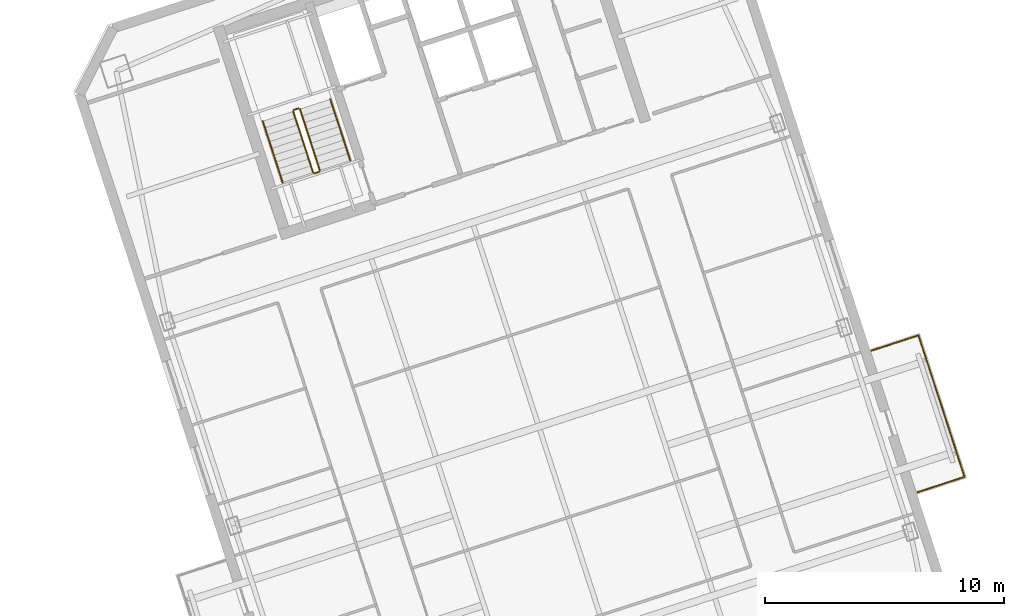
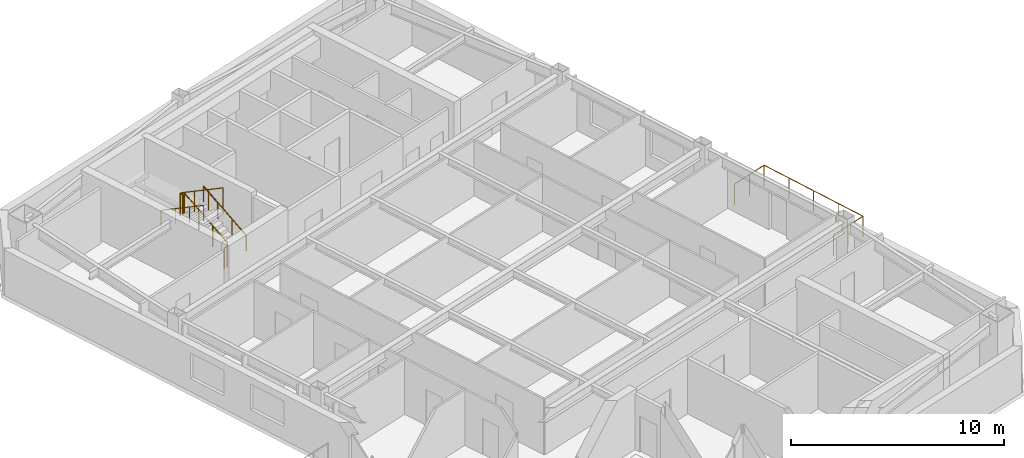
# One storey, part 15 of 15: 7 railings.
"""IFC4 building model written with IfcOpenShell, lengths in metres."""

from ifc_helpers import new_model, si_unit, direction, frame, origin, origin_2d, place, context, subcontext, project, spatial, circle, extrude, material, type_object, element, save


model = new_model("IFC4")

# Units and contexts
model_context = context("Model", 3, precision=1e-05, world=origin(), true_north=direction((0.0, 1.0)))
body_context = subcontext(model_context, "Body", "Model", "MODEL_VIEW")
ifc_project = project(units=[si_unit("LENGTHUNIT", "METRE"), si_unit("AREAUNIT", "SQUARE_METRE"), si_unit("VOLUMEUNIT", "CUBIC_METRE"), si_unit("PLANEANGLEUNIT", "RADIAN"), si_unit("MASSUNIT", "GRAM", prefix="KILO")], contexts=[model_context])

# Site, building, storey
site_placement = place(None, origin())
site = spatial("IfcSite", under=ifc_project, at=site_placement, CompositionType="ELEMENT")
building_placement = place(site_placement, origin())
building = spatial("IfcBuilding", under=site, at=building_placement, Name="Qiaolan Cultural Towers", CompositionType="ELEMENT")
storey_placement = place(building_placement, frame((0.0, 0.0, 209.300048828125)))
storey = spatial("IfcBuildingStorey", under=building, at=storey_placement, Name="L56", CompositionType="ELEMENT", Elevation=209.300048828125)

# Railings
ifc_material_1 = material(Name="Laminated SentryGlas & Stainless Steel S31608 Balustrade", Category="steel")
railing_type_1 = type_object("IfcRailingType", Name="GRD-TERR-1200", PredefinedType="BALUSTRADE", material=ifc_material_1)
railing_1_placement = place(storey_placement, frame((105.87646484375, 31.25146484375, 0.0)))
element("IfcRailing", 1, at=railing_1_placement, inside=storey, type_object=railing_type_1, Name="L56 T2 Tree Balcony Guardrail E", PredefinedType="BALUSTRADE", context=body_context, shape_type="SweptSolid", body=[
    extrude(circle(Radius=0.02392578125, at=origin_2d()), frame((0.0, 0.0, 1.17578125), z_axis=(0.951050536716, 0.309035397023, 0.0), x_axis=(-0.309035397023, 0.951050536716, 0.0)), (0.0, 0.0, 1.0), 2.06982421875),
    extrude(circle(Radius=0.02392578125, at=origin_2d()), frame((1.968505859375, 0.6396484375, 1.17578125), z_axis=(-0.30901175762, 0.951058217804, 0.0), x_axis=(-0.951058217804, -0.30901175762, 0.0)), (0.0, 0.0, 1.0), 6.239990234375),
    extrude(circle(Radius=0.02392578125, at=origin_2d()), frame((0.040283203125, 6.57421875, 1.17578125), z_axis=(-0.951061799618, -0.309000733507, 0.0), x_axis=(0.309000733507, -0.951061799618, 0.0)), (0.0, 0.0, 1.0), 2.070068359375),
    extrude(circle(Radius=0.02099609375, at=origin_2d()), origin(), (0.0, 0.0, 1.0), 1.15185546875),
    extrude(circle(Radius=0.02099609375, at=origin_2d()), frame((0.984375, 0.31982421875, 0.0)), (0.0, 0.0, 1.0), 1.15185546875),
    extrude(circle(Radius=0.02099609375, at=origin_2d()), frame((1.968505859375, 0.6396484375, 0.0)), (0.0, 0.0, 1.0), 1.15185546875),
    extrude(circle(Radius=0.02099609375, at=origin_2d()), frame((1.486328125, 2.123291015625, 0.0)), (0.0, 0.0, 1.0), 1.15185546875),
    extrude(circle(Radius=0.02099609375, at=origin_2d()), frame((1.00439453125, 3.60693359375, 0.0)), (0.0, 0.0, 1.0), 1.15185546875),
    extrude(circle(Radius=0.02099609375, at=origin_2d()), frame((0.5224609375, 5.090576171875, 0.0)), (0.0, 0.0, 1.0), 1.15185546875),
    extrude(circle(Radius=0.02099609375, at=origin_2d()), frame((0.040283203125, 6.57421875, 0.0)), (0.0, 0.0, 1.0), 1.15185546875),
    extrude(circle(Radius=0.02099609375, at=origin_2d()), frame((-0.944091796875, 6.25439453125, 0.0)), (0.0, 0.0, 1.0), 1.15185546875),
    extrude(circle(Radius=0.02099609375, at=origin_2d()), frame((-1.928466796875, 5.9345703125, 0.0)), (0.0, 0.0, 1.0), 1.15185546875),
])
ifc_material_2 = material(Name="Galvanized Painted Steel Stair Guardrail", Category="steel")
railing_type_2 = type_object("IfcRailingType", Name="RL-STAIR-GRD", PredefinedType="GUARDRAIL", material=ifc_material_2)
railing_2_placement = place(storey_placement, frame((80.822021484375, 44.739501953125, 0.17236328125)))
element("IfcRailing", 2, at=railing_2_placement, inside=storey, type_object=railing_type_2, Name="L56 ST-E2 stair guard 1", PredefinedType="GUARDRAIL", context=body_context, shape_type="SweptSolid", body=[
    extrude(circle(Radius=0.02392578125, at=origin_2d()), frame((0.0, 0.0, 1.17578125), z_axis=(-0.26785290645, 0.824488402118, 0.498471358535), x_axis=(-0.951069945308, -0.308975661068, 0.0)), (0.0, 0.0, 1.0), 3.114501953125),
    extrude(circle(Radius=0.02099609375, at=origin_2d()), origin(), (0.0, 0.0, 1.0), 1.15185546875),
    extrude(circle(Radius=0.02099609375, at=origin_2d()), frame((-0.278076171875, 0.85595703125, 0.517578125)), (0.0, 0.0, 1.0), 1.15185546875),
    extrude(circle(Radius=0.02099609375, at=origin_2d()), frame((-0.55615234375, 1.7119140625, 1.034912109375)), (0.0, 0.0, 1.0), 1.15185546875),
    extrude(circle(Radius=0.02099609375, at=origin_2d()), frame((-0.834228515625, 2.56787109375, 1.552490234375)), (0.0, 0.0, 1.0), 1.15185546875),
])
railing_3_placement = place(storey_placement, frame((79.9248046875, 47.33935546875, 1.724853515625)))
element("IfcRailing", 3, at=railing_3_placement, inside=storey, type_object=railing_type_2, Name="L56 ST-E2 stair guard 2", PredefinedType="GUARDRAIL", context=body_context, shape_type="SweptSolid", body=[
    extrude(circle(Radius=0.02392578125, at=origin_2d()), frame((0.0, 0.0, 1.17578125), z_axis=(-0.951096855055, -0.308892816854, 0.0), x_axis=(0.308892816854, -0.951096855055, 0.0)), (0.0, 0.0, 1.0), 0.199951171875),
    extrude(circle(Radius=0.02099609375, at=origin_2d()), origin(), (0.0, 0.0, 1.0), 1.15185546875),
    extrude(circle(Radius=0.02099609375, at=origin_2d()), frame((-0.190185546875, -0.061767578125, 0.0)), (0.0, 0.0, 1.0), 1.15185546875),
])
railing_4_placement = place(storey_placement, frame((79.702392578125, 47.214599609375, 1.8974609375)))
element("IfcRailing", 4, at=railing_4_placement, inside=storey, type_object=railing_type_2, Name="L56 ST-E2 stair guard 3", PredefinedType="GUARDRAIL", context=body_context, shape_type="SweptSolid", body=[
    extrude(circle(Radius=0.02392578125, at=origin_2d()), frame((0.0, 0.0, 1.17578125), z_axis=(0.267925668498, -0.824471088726, 0.498460891159), x_axis=(0.951043371037, 0.309057448393, 0.0)), (0.0, 0.0, 1.0), 3.114501953125),
    extrude(circle(Radius=0.02099609375, at=origin_2d()), origin(), (0.0, 0.0, 1.0), 1.15185546875),
    extrude(circle(Radius=0.02099609375, at=origin_2d()), frame((0.278076171875, -0.85595703125, 0.517578125)), (0.0, 0.0, 1.0), 1.15185546875),
    extrude(circle(Radius=0.02099609375, at=origin_2d()), frame((0.556396484375, -1.7119140625, 1.034912109375)), (0.0, 0.0, 1.0), 1.15185546875),
    extrude(circle(Radius=0.02099609375, at=origin_2d()), frame((0.83447265625, -2.56787109375, 1.552490234375)), (0.0, 0.0, 1.0), 1.15185546875),
])
railing_5_placement = place(storey_placement, frame((80.7900390625, 44.676513671875, 0.0)))
element("IfcRailing", 5, at=railing_5_placement, inside=storey, type_object=railing_type_2, Name="L56 ST-E2 stair guard 4", PredefinedType="GUARDRAIL", context=body_context, shape_type="SweptSolid", body=[
    extrude(circle(Radius=0.02392578125, at=origin_2d()), frame((0.0, 0.0, 1.17578125), z_axis=(-0.951096855055, -0.308892816854, 0.0), x_axis=(0.308892816854, -0.951096855055, 0.0)), (0.0, 0.0, 1.0), 0.199951171875),
    extrude(circle(Radius=0.02099609375, at=origin_2d()), origin(), (0.0, 0.0, 1.0), 1.15185546875),
    extrude(circle(Radius=0.02099609375, at=origin_2d()), frame((-0.190185546875, -0.061767578125, 0.0)), (0.0, 0.0, 1.0), 1.15185546875),
])
ifc_material_3 = material(Name="Stainless Steel S30408 Tubular Handrail", Category="steel")
railing_type_3 = type_object("IfcRailingType", Name="RL-STAIR-HR", PredefinedType="HANDRAIL", material=ifc_material_3)
railing_6_placement = place(storey_placement, frame((82.096435546875, 45.153564453125, 0.17236328125)))
element("IfcRailing", 6, at=railing_6_placement, inside=storey, type_object=railing_type_3, Name="L56 ST-E2 stair handrail 1", PredefinedType="HANDRAIL", context=body_context, shape_type="SweptSolid", body=[
    extrude(circle(Radius=0.02392578125, at=origin_2d()), frame((0.0, 0.0, 0.8759765625), z_axis=(-0.26785290645, 0.824488402118, 0.498471358535), x_axis=(-0.951069945308, -0.308975661068, 0.0)), (0.0, 0.0, 1.0), 3.114501953125),
    extrude(circle(Radius=0.02099609375, at=origin_2d()), origin(), (0.0, 0.0, 1.0), 0.851806640625),
    extrude(circle(Radius=0.02099609375, at=origin_2d()), frame((-0.278076171875, 0.85595703125, 0.517578125)), (0.0, 0.0, 1.0), 0.851806640625),
    extrude(circle(Radius=0.02099609375, at=origin_2d()), frame((-0.55615234375, 1.7119140625, 1.034912109375)), (0.0, 0.0, 1.0), 0.851806640625),
    extrude(circle(Radius=0.02099609375, at=origin_2d()), frame((-0.834228515625, 2.56787109375, 1.552490234375)), (0.0, 0.0, 1.0), 0.851806640625),
])
railing_7_placement = place(storey_placement, frame((78.427978515625, 46.800537109375, 1.8974609375)))
element("IfcRailing", 7, at=railing_7_placement, inside=storey, type_object=railing_type_3, Name="L56 ST-E2 stair handrail 2", PredefinedType="HANDRAIL", context=body_context, shape_type="SweptSolid", body=[
    extrude(circle(Radius=0.02392578125, at=origin_2d()), frame((0.0, 0.0, 0.8759765625), z_axis=(0.267925668498, -0.824471088726, 0.498460891159), x_axis=(0.951043371037, 0.309057448393, 0.0)), (0.0, 0.0, 1.0), 3.114501953125),
    extrude(circle(Radius=0.02099609375, at=origin_2d()), origin(), (0.0, 0.0, 1.0), 0.851806640625),
    extrude(circle(Radius=0.02099609375, at=origin_2d()), frame((0.278076171875, -0.85595703125, 0.517578125)), (0.0, 0.0, 1.0), 0.851806640625),
    extrude(circle(Radius=0.02099609375, at=origin_2d()), frame((0.556396484375, -1.7119140625, 1.034912109375)), (0.0, 0.0, 1.0), 0.851806640625),
    extrude(circle(Radius=0.02099609375, at=origin_2d()), frame((0.83447265625, -2.56787109375, 1.552490234375)), (0.0, 0.0, 1.0), 0.851806640625),
])

save(model, "model.ifc")
